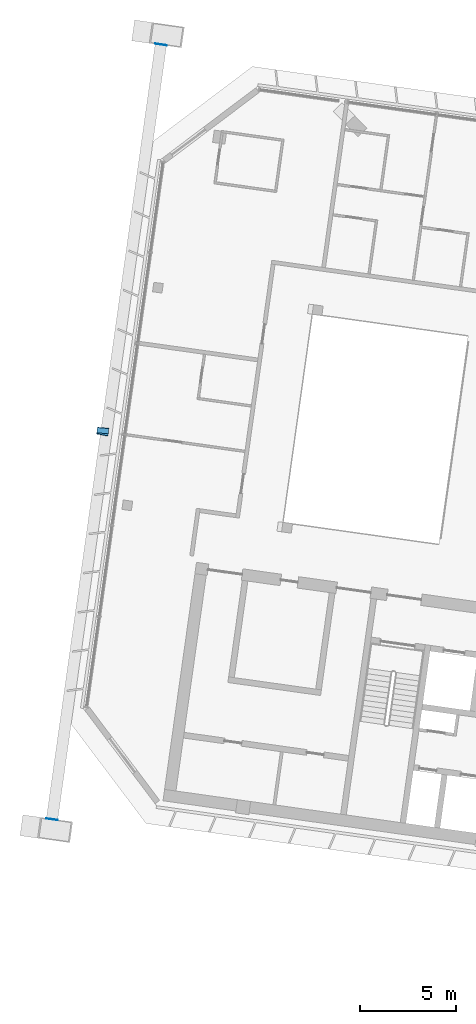
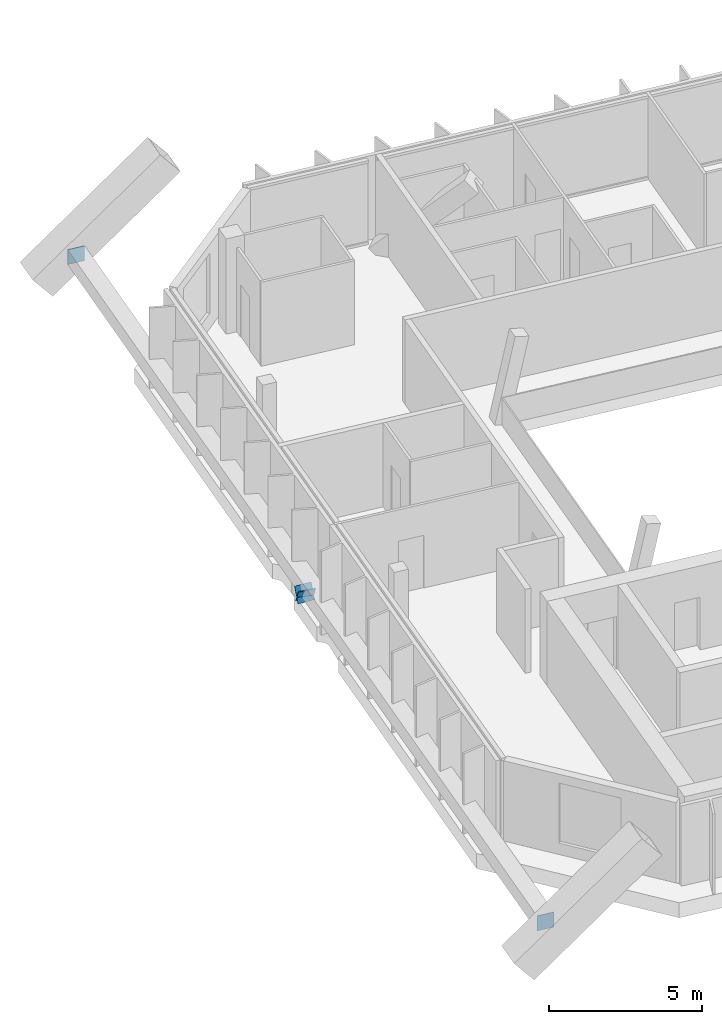
# One storey, part 22 of 25: 4 discrete accessories.
"""IFC4 building model written with IfcOpenShell, lengths in metres."""

from ifc_helpers import new_model, si_unit, direction, frame, origin, origin_2d, place, context, subcontext, project, spatial, rectangle, extrude, material, material_profile, profile_set, type_object, element, save


model = new_model("IFC4")

# Units and contexts
model_context = context("Model", 3, precision=1e-05, world=origin(), true_north=direction((0.0, 1.0)))
body_context = subcontext(model_context, "Body", "Model", "MODEL_VIEW")
ifc_project = project(units=[si_unit("LENGTHUNIT", "METRE"), si_unit("AREAUNIT", "SQUARE_METRE"), si_unit("VOLUMEUNIT", "CUBIC_METRE"), si_unit("PLANEANGLEUNIT", "RADIAN"), si_unit("MASSUNIT", "GRAM", prefix="KILO")], contexts=[model_context])

# Site, building, storey
site_placement = place(None, origin())
site = spatial("IfcSite", under=ifc_project, at=site_placement, CompositionType="ELEMENT")
building_placement = place(site_placement, origin())
building = spatial("IfcBuilding", under=site, at=building_placement, Name="Mirante Cascada Hotel Towers", CompositionType="ELEMENT")
storey_placement = place(building_placement, frame((0.0, 0.0, 247.0)))
storey = spatial("IfcBuildingStorey", under=building, at=storey_placement, Name="L59", CompositionType="ELEMENT", Elevation=247.0)

# Discrete accessories
ifc_material = material(Name="Steel ASTM A572 Gr 50", Category="steel")
ifc_material_profile = material_profile(ifc_material, rectangle(XDim=0.6, YDim=0.6, at=origin_2d()), Name="Connection plate 600x600x25 ASTM A572 Gr 50")
ifc_profile_set = profile_set([ifc_material_profile], Name="Steel ASTM A572 Gr 50")
discrete_accessory_type = type_object("IfcDiscreteAccessoryType", Name="Connection plate 600x600x25 ASTM A572 Gr 50", PredefinedType="BRACKET", material=ifc_profile_set)
discrete_accessory_1_placement = place(storey_placement, frame((-66.6616, 3.0908, 0.8279), z_axis=(0.1640919, 0.8724887, 0.4602578), x_axis=(-0.98277, 0.1848329, 0.0)))
element("IfcDiscreteAccessory", 1, at=discrete_accessory_1_placement, inside=storey, type_object=discrete_accessory_type, Name="Connection plate MB-OL56L", PredefinedType="BRACKET", context=body_context, shape_type="SweptSolid", body=[
    extrude(rectangle(XDim=0.6, YDim=0.6, at=origin_2d()), origin(), (0.0, 0.0, 1.0), 0.025),
])
discrete_accessory_2_placement = place(storey_placement, frame((-66.6446, 3.2118, 0.8279), z_axis=(-0.0797395, -0.8851086, 0.4585022), x_axis=(0.9959664, -0.0897267, 0.0)))
element("IfcDiscreteAccessory", 2, at=discrete_accessory_2_placement, inside=storey, type_object=discrete_accessory_type, Name="Connection plate MB-OL56R", PredefinedType="BRACKET", context=body_context, shape_type="SweptSolid", body=[
    extrude(rectangle(XDim=0.6, YDim=0.6, at=origin_2d()), origin(), (0.0, 0.0, 1.0), 0.0251),
])
discrete_accessory_3_placement = place(storey_placement, frame((-69.3081, -17.1594, 1.0), z_axis=(0.1397442, 0.9901876, 0.0), x_axis=(-0.9901876, 0.1397442, 0.0)))
element("IfcDiscreteAccessory", 3, at=discrete_accessory_3_placement, inside=storey, type_object=discrete_accessory_type, Name="Connection plate NCH", PredefinedType="BRACKET", context=body_context, shape_type="SweptSolid", body=[
    extrude(rectangle(XDim=0.6, YDim=0.6, at=origin_2d()), origin(), (0.0, 0.0, 1.0), 0.025),
])
discrete_accessory_4_placement = place(storey_placement, frame((-63.6104, 23.3822, 1.0), z_axis=(0.1402989, 0.9901092, 0.0), x_axis=(-0.9901092, 0.1402989, 0.0)))
element("IfcDiscreteAccessory", 4, at=discrete_accessory_4_placement, inside=storey, type_object=discrete_accessory_type, Name="Connection plate NCH", PredefinedType="BRACKET", context=body_context, shape_type="SweptSolid", body=[
    extrude(rectangle(XDim=0.6, YDim=0.6, at=origin_2d()), origin(), (0.0, 0.0, 1.0), 0.0249),
])

save(model, "model.ifc")
